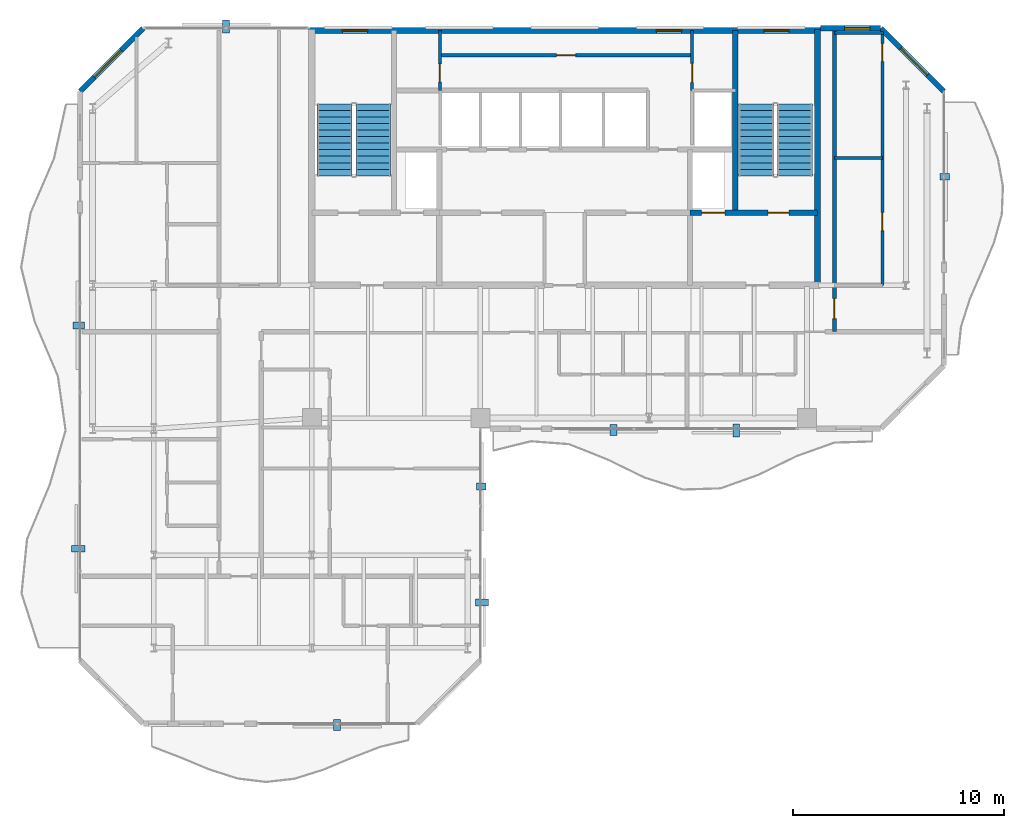
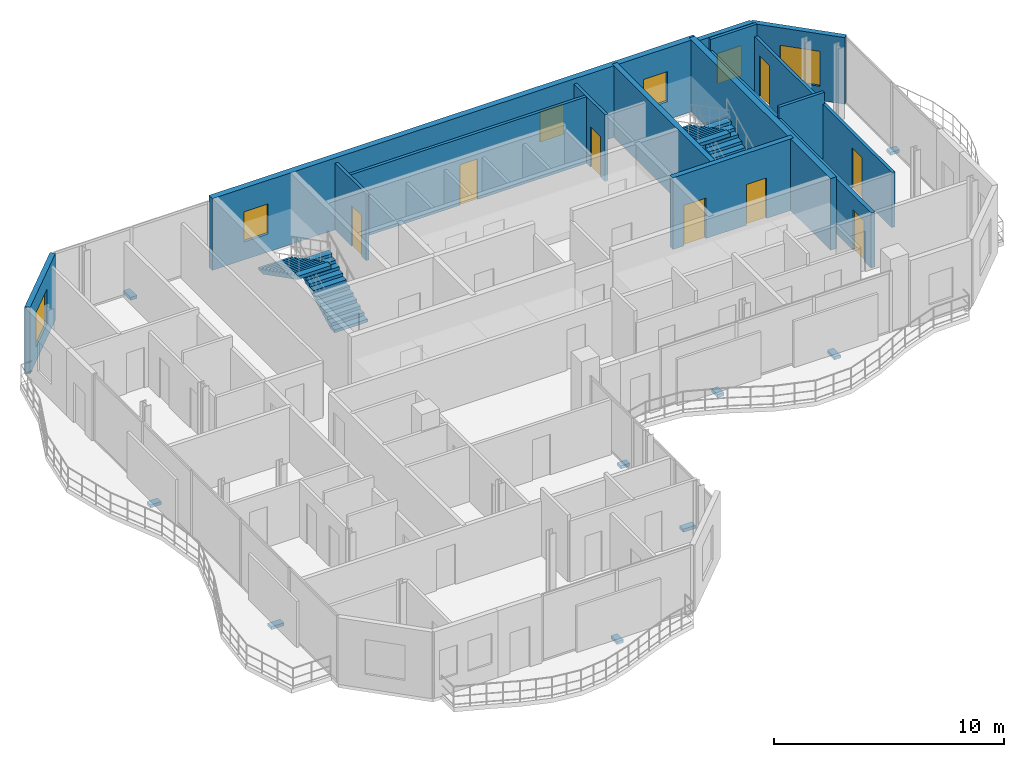
# One storey, part 20 of 22: 14 walls, 9 discrete accessories, 8 doors, 6 windows, 4 stair flights, 14 openings, 2 elements without a shape of their own.
"""IFC4 building model written with IfcOpenShell, lengths in metres."""

import ifcopenshell
import ifcopenshell.guid

model = None  # the IFC model being written
_history = None  # IfcOwnerHistory: only IFC2X3 demands one
_inside = {}  # id of a spatial element -> (the spatial element, [elements in it])
_under = {}  # id of a project, library or spatial element -> (it, [spatial elements below it])
_declared = {}  # id of a project -> (the project, [libraries it declares])
_typed = {}  # id of a type object -> (the type object, [elements of that type])
_made_of = {}  # id of a material, layer set ... -> (it, [elements and type objects made of it])


def new_model(schema):
    """Start an empty IFC model of exactly this schema.

    Asked for "IFC4X3", IfcOpenShell would pick the latest addendum, in which some entities
    have other attributes; the version numbers below select the first issue.
    IFC2X3 requires an IfcOwnerHistory on every rooted entity: one is made here for all.
    """
    global model, _history
    if schema == "IFC4X3":
        model = ifcopenshell.file(schema_version=(4, 3, 0, 0))
    else:
        model = ifcopenshell.file(schema=schema)
    _inside.clear()
    _under.clear()
    _declared.clear()
    _typed.clear()
    _made_of.clear()
    _history = None
    if model.schema == "IFC2X3":
        org = make("IfcOrganization", Name="unknown")
        user = make(
            "IfcPersonAndOrganization",
            ThePerson=make("IfcPerson", FamilyName="unknown"),
            TheOrganization=org,
        )
        app = make(
            "IfcApplication",
            ApplicationDeveloper=org,
            Version="unknown",
            ApplicationFullName="unknown",
            ApplicationIdentifier="unknown",
        )
        _history = make(
            "IfcOwnerHistory",
            OwningUser=user,
            OwningApplication=app,
            ChangeAction="ADDED",
            CreationDate=0,
        )
    return model


def make(cls, **values):
    """One entity of the class cls with the attributes given. An attribute that is None is left unset."""
    return model.create_entity(
        cls, **{name: value for name, value in values.items() if value is not None}
    )


def rooted(cls, **values):
    """An entity with a GlobalId (a new one), such as an element, a storey or a relation."""
    return make(cls, GlobalId=ifcopenshell.guid.new(), OwnerHistory=_history, **values)


def si_unit(unit_type, name, prefix=None):
    """IfcSIUnit, for example si_unit("LENGTHUNIT", "METRE", prefix="MILLI")."""
    return make("IfcSIUnit", UnitType=unit_type, Prefix=prefix, Name=name)


def assignment(units):
    """IfcUnitAssignment: the units of a project."""
    return None if units is None else make("IfcUnitAssignment", Units=units)


def point(xyz):
    """IfcCartesianPoint."""
    return None if xyz is None else make("IfcCartesianPoint", Coordinates=xyz)


def direction(xyz):
    """IfcDirection."""
    return None if xyz is None else make("IfcDirection", DirectionRatios=xyz)


def frame(location, z_axis=None, x_axis=None):
    """IfcAxis2Placement3D, a coordinate frame: its origin and axes. An axis left out is left unset."""
    return make(
        "IfcAxis2Placement3D",
        Location=point(location),
        Axis=direction(z_axis),
        RefDirection=direction(x_axis),
    )


def frame_2d(location, x_axis=None):
    """IfcAxis2Placement2D, a coordinate frame in the plane: its origin and x axis."""
    return make(
        "IfcAxis2Placement2D", Location=point(location), RefDirection=direction(x_axis)
    )


def origin():
    """The frame at (0, 0, 0) with its axes left unset."""
    return frame((0.0, 0.0, 0.0))


def origin_2d():
    """The frame at (0, 0) in the plane with its x axis left unset."""
    return frame_2d((0.0, 0.0))


def place(relative_to, where):
    """IfcLocalPlacement: puts the frame where relative to a parent placement (None: the world)."""
    return make(
        "IfcLocalPlacement", PlacementRelTo=relative_to, RelativePlacement=where
    )


def context(
    kind, dimensions, precision=None, world=None, true_north=None, identifier=None
):
    """IfcGeometricRepresentationContext, for example the 3D "Model" context."""
    return make(
        "IfcGeometricRepresentationContext",
        ContextIdentifier=identifier,
        ContextType=kind,
        CoordinateSpaceDimension=dimensions,
        Precision=precision,
        WorldCoordinateSystem=world,
        TrueNorth=true_north,
    )


def subcontext(parent, identifier, kind, view, scale=None):
    """IfcGeometricRepresentationSubContext, for example "Body" below "Model"."""
    return make(
        "IfcGeometricRepresentationSubContext",
        ContextIdentifier=identifier,
        ContextType=kind,
        ParentContext=parent,
        TargetScale=scale,
        TargetView=view,
    )


def project(units=None, contexts=None):
    """IfcProject with its units and contexts."""
    return rooted(
        "IfcProject",
        Name="project",
        RepresentationContexts=contexts,
        UnitsInContext=assignment(units),
    )


def spatial(cls, under=None, at=None, **own):
    """A site, building, storey or space (cls), placed at a placement, below another one or the project."""
    s = rooted(cls, ObjectPlacement=at, **own)
    if under is not None:
        _under.setdefault(under.id(), (under, []))[1].append(s)
    return s


def polyline(points):
    """IfcPolyline through the points."""
    return make("IfcPolyline", Points=[point(p) for p in points])


def profile(cls, at=None, kind="AREA", **sizes):
    """A parametric profile (cls). Its sizes go by their IFC names, for example OverallWidth=200.0."""
    return make(cls, ProfileType=kind, Position=at, **sizes)


def rectangle(**sizes):
    """IfcRectangleProfileDef."""
    return profile("IfcRectangleProfileDef", **sizes)


def outline(outer, holes=None, kind="AREA"):
    """IfcArbitraryClosedProfileDef: a profile drawn as a closed curve; with holes, ...WithVoids."""
    if holes is None:
        return make("IfcArbitraryClosedProfileDef", ProfileType=kind, OuterCurve=outer)
    return make(
        "IfcArbitraryProfileDefWithVoids",
        ProfileType=kind,
        OuterCurve=outer,
        InnerCurves=holes,
    )


def extrude(swept, where, along, depth):
    """IfcExtrudedAreaSolid: the profile swept, set in the frame where, extruded along a direction by depth."""
    return make(
        "IfcExtrudedAreaSolid",
        SweptArea=swept,
        Position=where,
        ExtrudedDirection=direction(along),
        Depth=depth,
    )


def shape(context_of_items, identifier, shape_type, items):
    """IfcShapeRepresentation: the items that make up one representation, for example the "Body"."""
    return make(
        "IfcShapeRepresentation",
        ContextOfItems=context_of_items,
        RepresentationIdentifier=identifier,
        RepresentationType=shape_type,
        Items=items,
    )


def material(Name=None, Category=None):
    """IfcMaterial."""
    return make("IfcMaterial", Name=Name, Category=Category)


def layer(
    of_material, thickness, ventilated=None, Name=None, Category=None, Priority=None
):
    """IfcMaterialLayer: one layer of a wall or slab, of a material (None: an air gap)."""
    return make(
        "IfcMaterialLayer",
        Material=of_material,
        LayerThickness=thickness,
        IsVentilated=ventilated,
        Name=Name,
        Category=Category,
        Priority=Priority,
    )


def layer_set(layers, Name=None):
    """IfcMaterialLayerSet."""
    return make("IfcMaterialLayerSet", MaterialLayers=layers, LayerSetName=Name)


def made_of(thing, what):
    """Note that an element or type object is made of a material, layer set ...; save() writes the relation."""
    if what is not None:
        _made_of.setdefault(what.id(), (what, []))[1].append(thing)
    return thing


def type_object(cls, material=None, **own):
    """A type object (cls), such as IfcWallType, which elements share."""
    return made_of(rooted(cls, **own), material)


def element(
    cls,
    number,
    at=None,
    inside=None,
    cuts=None,
    type_object=None,
    material=None,
    context=None,
    identifier="Body",
    shape_type=None,
    held_by="IfcProductDefinitionShape",
    body=None,
    shapes=None,
    **own,
):
    """One element of the class cls, such as IfcWall. Its Tag is "e" and its number.

    at: its placement. inside: the storey or other place that contains it. cuts: it is an
    opening in that element (IfcRelVoidsElement). A single representation is given by context,
    identifier, shape_type and body (its items); several are given by shapes. held_by: the class
    of the entity that holds the representations. save() writes the other relations.
    """
    e = rooted(cls, Tag="e%d" % number, ObjectPlacement=at, **own)
    if body is not None:
        shapes = [shape(context, identifier, shape_type, body)]
    if shapes is not None:
        e.Representation = make(held_by, Representations=shapes)
    if inside is not None:
        _inside.setdefault(inside.id(), (inside, []))[1].append(e)
    if cuts is not None:
        rooted(
            "IfcRelVoidsElement", RelatingBuildingElement=cuts, RelatedOpeningElement=e
        )
    if type_object is not None:
        _typed.setdefault(type_object.id(), (type_object, []))[1].append(e)
    return made_of(e, material)


def fill(opening, filler):
    """IfcRelFillsElement: the door or window that sits in an opening."""
    return rooted(
        "IfcRelFillsElement",
        RelatingOpeningElement=opening,
        RelatedBuildingElement=filler,
    )


def aggregate(whole, parts):
    """IfcRelAggregates: a whole, such as a stair, and the parts it consists of."""
    return rooted("IfcRelAggregates", RelatingObject=whole, RelatedObjects=parts)


def save(model, path):
    """Write the relations noted so far, then the file.

    IfcRelAggregates (storeys below a building ...), IfcRelContainedInSpatialStructure (elements
    in a storey), IfcRelDefinesByType, IfcRelAssociatesMaterial and IfcRelDeclares: one each for
    every whole, place, type object, material and project.
    """
    for whole, parts in _under.values():
        aggregate(whole, parts)
    for where, things in _inside.values():
        rooted(
            "IfcRelContainedInSpatialStructure",
            RelatedElements=things,
            RelatingStructure=where,
        )
    for kind, things in _typed.values():
        rooted("IfcRelDefinesByType", RelatedObjects=things, RelatingType=kind)
    for what, things in _made_of.values():
        rooted("IfcRelAssociatesMaterial", RelatedObjects=things, RelatingMaterial=what)
    for by, libraries in _declared.values():
        rooted("IfcRelDeclares", RelatingContext=by, RelatedDefinitions=libraries)
    model.write(path)


model = new_model("IFC4")

# Units and contexts
model_context = context("Model", 3, precision=1e-05, world=origin(), true_north=direction((0.0, 1.0)))
body_context = subcontext(model_context, "Body", "Model", "MODEL_VIEW")
ifc_project = project(units=[si_unit("LENGTHUNIT", "METRE"), si_unit("AREAUNIT", "SQUARE_METRE"), si_unit("VOLUMEUNIT", "CUBIC_METRE"), si_unit("PLANEANGLEUNIT", "RADIAN"), si_unit("MASSUNIT", "GRAM", prefix="KILO")], contexts=[model_context])

# Site, building, storey
site_placement = place(None, origin())
site = spatial("IfcSite", under=ifc_project, at=site_placement, CompositionType="ELEMENT")
building_placement = place(site_placement, origin())
building = spatial("IfcBuilding", under=site, at=building_placement, Name="Catumbela Crestline Tower", CompositionType="ELEMENT")
storey_placement = place(building_placement, frame((0.0, 0.0, 222.2)))
storey = spatial("IfcBuildingStorey", under=building, at=storey_placement, Name="L57", CompositionType="ELEMENT", Elevation=222.2)

# Wall
ifc_material_1 = material(Name="Concrete C50/60", Category="concrete")
ifc_layer_1 = layer(ifc_material_1, 0.25, Name="Concrete C50/60")
ifc_layer_set_1 = layer_set([ifc_layer_1], Name="Concrete C50/60")
wall_type_1 = type_object("IfcWallType", Name="CW-250D", PredefinedType="SHEAR", material=ifc_layer_set_1)
wall_1_placement = place(storey_placement, frame((36.1, 34.25, 0.0), z_axis=(0.0, 0.0, 1.0), x_axis=(0.0, 1.0, 0.0)))
element("IfcWall", 1, at=wall_1_placement, inside=storey, type_object=wall_type_1, Name="L57 Structural Core Shear Wall EWEB", PredefinedType="SHEAR", context=body_context, shape_type="SweptSolid", body=[
    extrude(rectangle(XDim=8.65, YDim=0.25, at=frame_2d((4.325, 0.0))), origin(), (0.0, 0.0, 1.0), 3.8),
])

# Wall, openings, doors
wall_2_placement = place(storey_placement, frame((33.95, 34.25, 0.0), z_axis=(0.0, 0.0, 1.0), x_axis=(1.0, 0.0, 0.0)))
wall_2 = element("IfcWall", 2, at=wall_2_placement, inside=storey, type_object=wall_type_1, Name="L57 Structural Core Shear Wall ST2S", PredefinedType="SHEAR", context=body_context, shape_type="SweptSolid", body=[
    extrude(rectangle(XDim=6.05, YDim=0.25, at=frame_2d((3.025, 0.0))), origin(), (0.0, 0.0, 1.0), 3.8),
])
opening_1_placement = place(wall_2_placement, frame((3.7, 0.0, 0.0)))
opening_1 = element("IfcOpeningElement", 3, at=opening_1_placement, cuts=wall_2, Name="Opening DF9-100", PredefinedType="OPENING", context=body_context, shape_type="SweptSolid", body=[
    extrude(rectangle(XDim=1.0, YDim=2.15, at=frame_2d((0.5, 1.075))), frame((0.0, 0.135, 0.0), z_axis=(0.0, -1.0, 0.0), x_axis=(1.0, 0.0, 0.0)), (0.0, 0.0, 1.0), 0.27),
])
opening_2_placement = place(wall_2_placement, frame((0.55, 0.0, 0.0)))
opening_2 = element("IfcOpeningElement", 4, at=opening_2_placement, cuts=wall_2, Name="Opening LD-110", PredefinedType="OPENING", context=body_context, shape_type="SweptSolid", body=[
    extrude(rectangle(XDim=1.1, YDim=2.15, at=frame_2d((0.55, 1.075))), frame((0.0, 0.135, 0.0), z_axis=(0.0, -1.0, 0.0), x_axis=(1.0, 0.0, 0.0)), (0.0, 0.0, 1.0), 0.27),
])
ifc_material_2 = material(Name="Stainless steel EN 1.4401", Category="steel")
door_type_1 = type_object("IfcDoorType", Name="DF9-100", OperationType="NOTDEFINED", PredefinedType="DOOR", material=ifc_material_2)
door_1_placement = place(opening_1_placement, origin())
door_1 = element("IfcDoor", 5, at=door_1_placement, inside=storey, type_object=door_type_1, Name="L57 Interior Door DR-L57-ST02", OperationType="SINGLE_SWING_RIGHT", OverallHeight=2.15, OverallWidth=1.0, PredefinedType="DOOR", context=body_context, shape_type="SweptSolid", body=[
    extrude(rectangle(XDim=1.0, YDim=2.15, at=frame_2d((0.5, 1.075))), frame((0.0, 0.025, 0.0), z_axis=(0.0, -1.0, 0.0), x_axis=(1.0, 0.0, 0.0)), (0.0, 0.0, 1.0), 0.05),
])
fill(opening_1, door_1)
door_type_2 = type_object("IfcDoorType", Name="LD-110", OperationType="NOTDEFINED", PredefinedType="DOOR", material=ifc_material_2)
door_2_placement = place(opening_2_placement, origin())
door_2 = element("IfcDoor", 6, at=door_2_placement, inside=storey, type_object=door_type_2, Name="L57 Lift Landing Sliding Door FL-02", OperationType="DOUBLE_DOOR_SLIDING", OverallHeight=2.15, OverallWidth=1.1, PredefinedType="DOOR", context=body_context, shape_type="SweptSolid", body=[
    extrude(rectangle(XDim=1.1, YDim=2.15, at=frame_2d((0.55, 1.075))), frame((0.0, 0.025, 0.0), z_axis=(0.0, -1.0, 0.0), x_axis=(1.0, 0.0, 0.0)), (0.0, 0.0, 1.0), 0.05),
])
fill(opening_2, door_2)

# Wall
ifc_material_3 = material(Name="Concrete C45/55", Category="concrete")
ifc_layer_2 = layer(ifc_material_3, 0.3, Name="Concrete C45/55")
ifc_layer_set_2 = layer_set([ifc_layer_2], Name="Concrete C45/55")
wall_type_2 = type_object("IfcWallType", Name="CW-300C", PredefinedType="SHEAR", material=ifc_layer_set_2)
wall_3_placement = place(storey_placement, frame((40.0, 30.65, 0.0), z_axis=(0.0, 0.0, 1.0), x_axis=(0.0, 1.0, 0.0)))
element("IfcWall", 7, at=wall_3_placement, inside=storey, type_object=wall_type_2, Name="L57 Structural Core Shear Wall E", PredefinedType="SHEAR", context=body_context, shape_type="SweptSolid", body=[
    extrude(rectangle(XDim=12.3, YDim=0.3, at=frame_2d((6.15, 0.0))), origin(), (0.0, 0.0, 1.0), 3.8),
])

# Wall, openings, windows
ifc_layer_3 = layer(ifc_material_3, 0.3, Name="Concrete C45/55")
ifc_layer_set_3 = layer_set([ifc_layer_3], Name="Concrete C45/55")
wall_type_3 = type_object("IfcWallType", Name="CW-300E", PredefinedType="SHEAR", material=ifc_layer_set_3)
wall_4_placement = place(storey_placement, frame((15.85, 42.9, 0.0), z_axis=(0.0, 0.0, 1.0), x_axis=(1.0, 0.0, 0.0)))
wall_4 = element("IfcWall", 8, at=wall_4_placement, inside=storey, type_object=wall_type_3, Name="L57 Structural Core Shear Wall N", PredefinedType="SHEAR", context=body_context, shape_type="SweptSolid", body=[
    extrude(rectangle(XDim=24.3, YDim=0.3, at=frame_2d((12.15, 0.0))), origin(), (0.0, 0.0, 1.0), 3.8),
])
opening_3_placement = place(wall_4_placement, frame((1.6, 0.0, 0.95)))
opening_3 = element("IfcOpeningElement", 9, at=opening_3_placement, cuts=wall_4, Name="Opening WN-02", PredefinedType="OPENING", context=body_context, shape_type="SweptSolid", body=[
    extrude(rectangle(XDim=1.2, YDim=1.6, at=frame_2d((0.6, 0.8))), frame((0.0, 0.16, 0.0), z_axis=(0.0, -1.0, 0.0), x_axis=(1.0, 0.0, 0.0)), (0.0, 0.0, 1.0), 0.32),
])
opening_4_placement = place(wall_4_placement, frame((16.5, 0.0, 0.95)))
opening_4 = element("IfcOpeningElement", 10, at=opening_4_placement, cuts=wall_4, Name="Opening WN-02", PredefinedType="OPENING", context=body_context, shape_type="SweptSolid", body=[
    extrude(rectangle(XDim=1.2, YDim=1.6, at=frame_2d((0.6, 0.8))), frame((0.0, 0.16, 0.0), z_axis=(0.0, -1.0, 0.0), x_axis=(1.0, 0.0, 0.0)), (0.0, 0.0, 1.0), 0.32),
])
opening_5_placement = place(wall_4_placement, frame((21.6, 0.0, 0.95)))
opening_5 = element("IfcOpeningElement", 11, at=opening_5_placement, cuts=wall_4, Name="Opening WN-02", PredefinedType="OPENING", context=body_context, shape_type="SweptSolid", body=[
    extrude(rectangle(XDim=1.2, YDim=1.6, at=frame_2d((0.6, 0.8))), frame((0.0, 0.16, 0.0), z_axis=(0.0, -1.0, 0.0), x_axis=(1.0, 0.0, 0.0)), (0.0, 0.0, 1.0), 0.32),
])
ifc_material_4 = material(Name="Low-E laminated solar-control double glazing", Category="glass")
window_type_1 = type_object("IfcWindowType", Name="WO-1200", PartitioningType="SINGLE_PANEL", PredefinedType="WINDOW", material=ifc_material_4)
window_1_placement = place(opening_3_placement, origin())
window_1 = element("IfcWindow", 12, at=window_1_placement, inside=storey, type_object=window_type_1, Name="L57 North Core Daylight Vision Window 390", OverallHeight=1.6, OverallWidth=1.2, PartitioningType="SINGLE_PANEL", PredefinedType="WINDOW", context=body_context, shape_type="SweptSolid", body=[
    extrude(rectangle(XDim=1.2, YDim=1.6, at=frame_2d((0.6, 0.8))), frame((0.0, 0.03, 0.0), z_axis=(0.0, -1.0, 0.0), x_axis=(1.0, 0.0, 0.0)), (0.0, 0.0, 1.0), 0.06),
])
fill(opening_3, window_1)
window_2_placement = place(opening_4_placement, origin())
window_2 = element("IfcWindow", 13, at=window_2_placement, inside=storey, type_object=window_type_1, Name="L57 North Core Daylight Vision Window 391", OverallHeight=1.6, OverallWidth=1.2, PartitioningType="SINGLE_PANEL", PredefinedType="WINDOW", context=body_context, shape_type="SweptSolid", body=[
    extrude(rectangle(XDim=1.2, YDim=1.6, at=frame_2d((0.6, 0.8))), frame((0.0, 0.03, 0.0), z_axis=(0.0, -1.0, 0.0), x_axis=(1.0, 0.0, 0.0)), (0.0, 0.0, 1.0), 0.06),
])
fill(opening_4, window_2)
window_3_placement = place(opening_5_placement, origin())
window_3 = element("IfcWindow", 14, at=window_3_placement, inside=storey, type_object=window_type_1, Name="L57 North Core Daylight Vision Window 392", OverallHeight=1.6, OverallWidth=1.2, PartitioningType="SINGLE_PANEL", PredefinedType="WINDOW", context=body_context, shape_type="SweptSolid", body=[
    extrude(rectangle(XDim=1.2, YDim=1.6, at=frame_2d((0.6, 0.8))), frame((0.0, 0.03, 0.0), z_axis=(0.0, -1.0, 0.0), x_axis=(1.0, 0.0, 0.0)), (0.0, 0.0, 1.0), 0.06),
])
fill(opening_5, window_3)

# Wall, opening, door
ifc_material_5 = material(Name="Acoustic gypsum and mineral-wool partition")
ifc_layer_4 = layer(ifc_material_5, 0.2, Name="Acoustic gypsum and mineral-wool partition")
ifc_layer_set_4 = layer_set([ifc_layer_4], Name="Acoustic gypsum and mineral-wool partition")
wall_type_4 = type_object("IfcWallType", Name="WC-200", PredefinedType="PARTITIONING", material=ifc_layer_set_4)
wall_5_placement = place(storey_placement, frame((40.8, 28.6, 0.0), z_axis=(0.0, 0.0, 1.0), x_axis=(0.0, 1.0, 0.0)))
wall_5 = element("IfcWall", 15, at=wall_5_placement, inside=storey, type_object=wall_type_4, Name="L57 Interior Partition PW-L57-NE1-ENT", PredefinedType="PARTITIONING", context=body_context, shape_type="SweptSolid", body=[
    extrude(rectangle(XDim=14.3, YDim=0.2, at=frame_2d((7.15, 0.0))), origin(), (0.0, 0.0, 1.0), 2.92),
])
opening_6_placement = place(wall_5_placement, frame((0.625, 0.0, 0.0)))
opening_6 = element("IfcOpeningElement", 16, at=opening_6_placement, cuts=wall_5, Name="Opening DF6-095", PredefinedType="OPENING", context=body_context, shape_type="SweptSolid", body=[
    extrude(rectangle(XDim=0.95, YDim=2.15, at=frame_2d((0.475, 1.075))), frame((0.0, 0.11, 0.0), z_axis=(0.0, -1.0, 0.0), x_axis=(1.0, 0.0, 0.0)), (0.0, 0.0, 1.0), 0.22),
])
ifc_material_6 = material(Name="Aluminium alloy AW-6060-T66", Category="aluminium")
door_type_3 = type_object("IfcDoorType", Name="DF6-095", OperationType="NOTDEFINED", PredefinedType="DOOR", material=ifc_material_6)
door_3_placement = place(opening_6_placement, origin())
door_3 = element("IfcDoor", 17, at=door_3_placement, inside=storey, type_object=door_type_3, Name="L57 Interior Door DR-L57-NE1-ENT", OperationType="SINGLE_SWING_LEFT", OverallHeight=2.15, OverallWidth=0.95, PredefinedType="DOOR", context=body_context, shape_type="SweptSolid", body=[
    extrude(rectangle(XDim=0.95, YDim=2.15, at=frame_2d((0.475, 1.075))), frame((0.0, 0.025, 0.0), z_axis=(0.0, -1.0, 0.0), x_axis=(1.0, 0.0, 0.0)), (0.0, 0.0, 1.0), 0.05),
])
fill(opening_6, door_3)

# Wall, opening, window
ifc_material_7 = material(Name="Angolan grey-ochre granite", Category="masonry")
ifc_layer_5 = layer(ifc_material_7, 0.25, Name="Angolan grey-ochre granite")
ifc_layer_set_5 = layer_set([ifc_layer_5], Name="Angolan grey-ochre granite")
wall_type_5 = type_object("IfcWallType", Name="WE-250", PredefinedType="STANDARD", material=ifc_layer_set_5)
wall_6_placement = place(storey_placement, frame((46.0, 40.0, 0.0), z_axis=(0.0, 0.0, 1.0), x_axis=(-0.707106781187, 0.707106781187, 0.0)))
wall_6 = element("IfcWall", 18, at=wall_6_placement, inside=storey, type_object=wall_type_5, Name="L57 Granite Punched Window Wall 6-1", PredefinedType="STANDARD", context=body_context, shape_type="SweptSolid", body=[
    extrude(rectangle(XDim=4.2426, YDim=0.25, at=frame_2d((2.1213, 0.0))), origin(), (0.0, 0.0, 1.0), 3.53),
])
opening_7_placement = place(wall_6_placement, frame((1.1111, 0.0, 0.75)))
opening_7 = element("IfcOpeningElement", 19, at=opening_7_placement, cuts=wall_6, Name="Opening WN-01", PredefinedType="OPENING", context=body_context, shape_type="SweptSolid", body=[
    extrude(rectangle(XDim=1.8, YDim=1.85, at=frame_2d((0.9, 0.925))), frame((0.0, 0.135, 0.0), z_axis=(0.0, -1.0, 0.0), x_axis=(1.0, 0.0, 0.0)), (0.0, 0.0, 1.0), 0.27),
])
window_type_2 = type_object("IfcWindowType", Name="WF-1800", PartitioningType="SINGLE_PANEL", PredefinedType="WINDOW", material=ifc_material_4)
window_4_placement = place(opening_7_placement, origin())
window_4 = element("IfcWindow", 20, at=window_4_placement, inside=storey, type_object=window_type_2, Name="L57 Facade Vision Window 399", OverallHeight=1.85, OverallWidth=1.8, PartitioningType="SINGLE_PANEL", PredefinedType="WINDOW", context=body_context, shape_type="SweptSolid", body=[
    extrude(rectangle(XDim=1.8, YDim=1.85, at=frame_2d((0.9, 0.925))), frame((0.0, 0.03, 0.0), z_axis=(0.0, -1.0, 0.0), x_axis=(1.0, 0.0, 0.0)), (0.0, 0.0, 1.0), 0.06),
])
fill(opening_7, window_4)

wall_7_placement = place(storey_placement, frame((43.0, 43.0, 0.0), z_axis=(0.0, 0.0, 1.0), x_axis=(-1.0, 0.0, 0.0)))
wall_7 = element("IfcWall", 21, at=wall_7_placement, inside=storey, type_object=wall_type_5, Name="L57 Granite Punched Window Wall 7-1", PredefinedType="STANDARD", context=body_context, shape_type="SweptSolid", body=[
    extrude(rectangle(XDim=2.86, YDim=0.25, at=frame_2d((1.43, 0.0))), origin(), (0.0, 0.0, 1.0), 3.53),
])
opening_8_placement = place(wall_7_placement, frame((0.51, 0.0, 0.85)))
opening_8 = element("IfcOpeningElement", 22, at=opening_8_placement, cuts=wall_7, Name="Opening WN-02", PredefinedType="OPENING", context=body_context, shape_type="SweptSolid", body=[
    extrude(rectangle(XDim=1.2, YDim=1.6, at=frame_2d((0.6, 0.8))), frame((0.0, 0.135, 0.0), z_axis=(0.0, -1.0, 0.0), x_axis=(1.0, 0.0, 0.0)), (0.0, 0.0, 1.0), 0.27),
])
window_5_placement = place(opening_8_placement, origin())
window_5 = element("IfcWindow", 23, at=window_5_placement, inside=storey, type_object=window_type_1, Name="L57 Facade Vision Window 400", OverallHeight=1.6, OverallWidth=1.2, PartitioningType="SINGLE_PANEL", PredefinedType="WINDOW", context=body_context, shape_type="SweptSolid", body=[
    extrude(rectangle(XDim=1.2, YDim=1.6, at=frame_2d((0.6, 0.8))), frame((0.0, 0.03, 0.0), z_axis=(0.0, -1.0, 0.0), x_axis=(1.0, 0.0, 0.0)), (0.0, 0.0, 1.0), 0.06),
])
fill(opening_8, window_5)

wall_8_placement = place(storey_placement, frame((8.0, 43.0, 0.0), z_axis=(0.0, 0.0, 1.0), x_axis=(-0.707106781187, -0.707106781187, 0.0)))
wall_8 = element("IfcWall", 24, at=wall_8_placement, inside=storey, type_object=wall_type_5, Name="L57 Granite Punched Window Wall 8-1", PredefinedType="STANDARD", context=body_context, shape_type="SweptSolid", body=[
    extrude(rectangle(XDim=4.2426, YDim=0.25, at=frame_2d((2.1213, 0.0))), origin(), (0.0, 0.0, 1.0), 3.53),
])
opening_9_placement = place(wall_8_placement, frame((1.4729, 0.0, 0.75)))
opening_9 = element("IfcOpeningElement", 25, at=opening_9_placement, cuts=wall_8, Name="Opening WN-01", PredefinedType="OPENING", context=body_context, shape_type="SweptSolid", body=[
    extrude(rectangle(XDim=1.8, YDim=1.85, at=frame_2d((0.9, 0.925))), frame((0.0, 0.135, 0.0), z_axis=(0.0, -1.0, 0.0), x_axis=(1.0, 0.0, 0.0)), (0.0, 0.0, 1.0), 0.27),
])
window_6_placement = place(opening_9_placement, origin())
window_6 = element("IfcWindow", 26, at=window_6_placement, inside=storey, type_object=window_type_2, Name="L57 Facade Vision Window 401", OverallHeight=1.85, OverallWidth=1.8, PartitioningType="SINGLE_PANEL", PredefinedType="WINDOW", context=body_context, shape_type="SweptSolid", body=[
    extrude(rectangle(XDim=1.8, YDim=1.85, at=frame_2d((0.9, 0.925))), frame((0.0, 0.03, 0.0), z_axis=(0.0, -1.0, 0.0), x_axis=(1.0, 0.0, 0.0)), (0.0, 0.0, 1.0), 0.06),
])
fill(opening_9, window_6)

# Wall, opening, door
ifc_layer_6 = layer(ifc_material_5, 0.15, Name="Acoustic gypsum and mineral-wool partition")
ifc_layer_set_6 = layer_set([ifc_layer_6], Name="Acoustic gypsum and mineral-wool partition")
wall_type_6 = type_object("IfcWallType", Name="WP-150", PredefinedType="PARTITIONING", material=ifc_layer_set_6)
wall_9_placement = place(storey_placement, frame((34.05, 40.05, 0.0), z_axis=(0.0, 0.0, 1.0), x_axis=(0.0, 1.0, 0.0)))
wall_9 = element("IfcWall", 27, at=wall_9_placement, inside=storey, type_object=wall_type_6, Name="L57 Interior Partition PW-L57-CR-EW", PredefinedType="PARTITIONING", context=body_context, shape_type="SweptSolid", body=[
    extrude(rectangle(XDim=2.85, YDim=0.15, at=frame_2d((1.425, 0.0))), origin(), (0.0, 0.0, 1.0), 3.53),
])
opening_10_placement = place(wall_9_placement, frame((0.385, 0.0, 0.0)))
opening_10 = element("IfcOpeningElement", 28, at=opening_10_placement, cuts=wall_9, Name="Opening DF9-090", PredefinedType="OPENING", context=body_context, shape_type="SweptSolid", body=[
    extrude(rectangle(XDim=0.9, YDim=2.15, at=frame_2d((0.45, 1.075))), frame((0.0, 0.085, 0.0), z_axis=(0.0, -1.0, 0.0), x_axis=(1.0, 0.0, 0.0)), (0.0, 0.0, 1.0), 0.17),
])
door_type_4 = type_object("IfcDoorType", Name="DF9-090", OperationType="NOTDEFINED", PredefinedType="DOOR", material=ifc_material_2)
door_4_placement = place(opening_10_placement, origin())
door_4 = element("IfcDoor", 29, at=door_4_placement, inside=storey, type_object=door_type_4, Name="L57 Interior Door DR-L57-CREAST", OperationType="SINGLE_SWING_RIGHT", OverallHeight=2.15, OverallWidth=0.9, PredefinedType="DOOR", context=body_context, shape_type="SweptSolid", body=[
    extrude(rectangle(XDim=0.9, YDim=2.15, at=frame_2d((0.45, 1.075))), frame((0.0, 0.025, 0.0), z_axis=(0.0, -1.0, 0.0), x_axis=(1.0, 0.0, 0.0)), (0.0, 0.0, 1.0), 0.05),
])
fill(opening_10, door_4)

wall_10_placement = place(storey_placement, frame((22.08, 40.05, 0.0), z_axis=(0.0, 0.0, 1.0), x_axis=(0.0, 1.0, 0.0)))
wall_10 = element("IfcWall", 30, at=wall_10_placement, inside=storey, type_object=wall_type_6, Name="L57 Interior Partition PW-L57-CR-WCW", PredefinedType="PARTITIONING", context=body_context, shape_type="SweptSolid", body=[
    extrude(rectangle(XDim=2.85, YDim=0.15, at=frame_2d((1.425, 0.0))), origin(), (0.0, 0.0, 1.0), 3.53),
])
opening_11_placement = place(wall_10_placement, frame((0.41, 0.0, 0.0)))
opening_11 = element("IfcOpeningElement", 31, at=opening_11_placement, cuts=wall_10, Name="Opening DI-085", PredefinedType="OPENING", context=body_context, shape_type="SweptSolid", body=[
    extrude(rectangle(XDim=0.85, YDim=2.15, at=frame_2d((0.425, 1.075))), frame((0.0, 0.085, 0.0), z_axis=(0.0, -1.0, 0.0), x_axis=(1.0, 0.0, 0.0)), (0.0, 0.0, 1.0), 0.17),
])
door_type_5 = type_object("IfcDoorType", Name="DI-085", OperationType="NOTDEFINED", PredefinedType="DOOR", material=ifc_material_6)
door_5_placement = place(opening_11_placement, origin())
door_5 = element("IfcDoor", 32, at=door_5_placement, inside=storey, type_object=door_type_5, Name="L57 Interior Door DR-L57-CRWC", OperationType="SINGLE_SWING_LEFT", OverallHeight=2.15, OverallWidth=0.85, PredefinedType="DOOR", context=body_context, shape_type="SweptSolid", body=[
    extrude(rectangle(XDim=0.85, YDim=2.15, at=frame_2d((0.425, 1.075))), frame((0.0, 0.025, 0.0), z_axis=(0.0, -1.0, 0.0), x_axis=(1.0, 0.0, 0.0)), (0.0, 0.0, 1.0), 0.05),
])
fill(opening_11, door_5)

wall_11_placement = place(storey_placement, frame((22.08, 41.72, 0.0), z_axis=(0.0, 0.0, 1.0), x_axis=(1.0, 0.0, 0.0)))
wall_11 = element("IfcWall", 33, at=wall_11_placement, inside=storey, type_object=wall_type_6, Name="L57 Interior Partition PW-L57-CR-MID", PredefinedType="PARTITIONING", context=body_context, shape_type="SweptSolid", body=[
    extrude(rectangle(XDim=11.97, YDim=0.15, at=frame_2d((5.985, 0.0))), origin(), (0.0, 0.0, 1.0), 3.53),
])
opening_12_placement = place(wall_11_placement, frame((5.535, 0.0, 0.0)))
opening_12 = element("IfcOpeningElement", 34, at=opening_12_placement, cuts=wall_11, Name="Opening DF9-090", PredefinedType="OPENING", context=body_context, shape_type="SweptSolid", body=[
    extrude(rectangle(XDim=0.9, YDim=2.15, at=frame_2d((0.45, 1.075))), frame((0.0, 0.085, 0.0), z_axis=(0.0, -1.0, 0.0), x_axis=(1.0, 0.0, 0.0)), (0.0, 0.0, 1.0), 0.17),
])
door_6_placement = place(opening_12_placement, origin())
door_6 = element("IfcDoor", 35, at=door_6_placement, inside=storey, type_object=door_type_4, Name="L57 Interior Door DR-L57-CRMID", OperationType="SINGLE_SWING_LEFT", OverallHeight=2.15, OverallWidth=0.9, PredefinedType="DOOR", context=body_context, shape_type="SweptSolid", body=[
    extrude(rectangle(XDim=0.9, YDim=2.15, at=frame_2d((0.45, 1.075))), frame((0.0, 0.025, 0.0), z_axis=(0.0, -1.0, 0.0), x_axis=(1.0, 0.0, 0.0)), (0.0, 0.0, 1.0), 0.05),
])
fill(opening_12, door_6)

# Wall
wall_12_placement = place(storey_placement, frame((40.8, 36.85, 0.0), z_axis=(0.0, 0.0, 1.0), x_axis=(1.0, 0.0, 0.0)))
element("IfcWall", 36, at=wall_12_placement, inside=storey, type_object=wall_type_6, Name="L57 Interior Partition PW-L57-NE1-KBM", PredefinedType="PARTITIONING", context=body_context, shape_type="SweptSolid", body=[
    extrude(rectangle(XDim=2.28, YDim=0.15, at=frame_2d((1.14, 0.0))), origin(), (0.0, 0.0, 1.0), 3.53),
])

# Wall, openings, doors
wall_13_placement = place(storey_placement, frame((43.08, 30.8, 0.0), z_axis=(0.0, 0.0, 1.0), x_axis=(0.0, 1.0, 0.0)))
wall_13 = element("IfcWall", 37, at=wall_13_placement, inside=storey, type_object=wall_type_6, Name="L57 Interior Partition PW-L57-NE1-SK1", PredefinedType="PARTITIONING", context=body_context, shape_type="SweptSolid", body=[
    extrude(rectangle(XDim=12.02, YDim=0.15, at=frame_2d((6.01, 0.0))), origin(), (0.0, 0.0, 1.0), 2.92),
])
opening_13_placement = place(wall_13_placement, frame((2.6, 0.0, 0.0)))
opening_13 = element("IfcOpeningElement", 38, at=opening_13_placement, cuts=wall_13, Name="Opening DI-085", PredefinedType="OPENING", context=body_context, shape_type="SweptSolid", body=[
    extrude(rectangle(XDim=0.85, YDim=2.15, at=frame_2d((0.425, 1.075))), frame((0.0, 0.085, 0.0), z_axis=(0.0, -1.0, 0.0), x_axis=(1.0, 0.0, 0.0)), (0.0, 0.0, 1.0), 0.17),
])
opening_14_placement = place(wall_13_placement, frame((10.6287, 0.0, 0.0)))
opening_14 = element("IfcOpeningElement", 39, at=opening_14_placement, cuts=wall_13, Name="Opening DI-085", PredefinedType="OPENING", context=body_context, shape_type="SweptSolid", body=[
    extrude(rectangle(XDim=0.85, YDim=2.15, at=frame_2d((0.425, 1.075))), frame((0.0, 0.085, 0.0), z_axis=(0.0, -1.0, 0.0), x_axis=(1.0, 0.0, 0.0)), (0.0, 0.0, 1.0), 0.17),
])
door_7_placement = place(opening_13_placement, origin())
door_7 = element("IfcDoor", 40, at=door_7_placement, inside=storey, type_object=door_type_5, Name="L57 Interior Door DR-L57-NE1-KIT", OperationType="SINGLE_SWING_LEFT", OverallHeight=2.15, OverallWidth=0.85, PredefinedType="DOOR", context=body_context, shape_type="SweptSolid", body=[
    extrude(rectangle(XDim=0.85, YDim=2.15, at=frame_2d((0.425, 1.075))), frame((0.0, 0.025, 0.0), z_axis=(0.0, -1.0, 0.0), x_axis=(1.0, 0.0, 0.0)), (0.0, 0.0, 1.0), 0.05),
])
fill(opening_13, door_7)
door_8_placement = place(opening_14_placement, origin())
door_8 = element("IfcDoor", 41, at=door_8_placement, inside=storey, type_object=door_type_5, Name="L57 Interior Door DR-L57-NE1-BTH", OperationType="SINGLE_SWING_RIGHT", OverallHeight=2.15, OverallWidth=0.85, PredefinedType="DOOR", context=body_context, shape_type="SweptSolid", body=[
    extrude(rectangle(XDim=0.85, YDim=2.15, at=frame_2d((0.425, 1.075))), frame((0.0, 0.025, 0.0), z_axis=(0.0, -1.0, 0.0), x_axis=(1.0, 0.0, 0.0)), (0.0, 0.0, 1.0), 0.05),
])
fill(opening_14, door_8)

# Wall
wall_14_placement = place(storey_placement, frame((40.8, 42.78, 0.0), z_axis=(0.0, 0.0, 1.0), x_axis=(1.0, 0.0, 0.0)))
element("IfcWall", 42, at=wall_14_placement, inside=storey, type_object=wall_type_6, Name="L57 Interior Partition PW-L57-NE1-BTH-BCL-2", PredefinedType="PARTITIONING", context=body_context, shape_type="SweptSolid", body=[
    extrude(rectangle(XDim=2.32, YDim=0.15, at=frame_2d((1.16, 0.0))), origin(), (0.0, 0.0, 1.0), 3.53),
])

# Stair, stair flights
stair_type = type_object("IfcStairType", Name="ST-DLG", PredefinedType="HALF_TURN_STAIR", material=ifc_material_3)
stair_1_placement = place(storey_placement, origin())
stair_1 = element("IfcStair", 43, at=stair_1_placement, inside=storey, type_object=stair_type, Name="L57 West Core Pressurised Exit Stair ST-01", PredefinedType="HALF_TURN_STAIR")
stair_flight_type = type_object("IfcStairFlightType", Name="SF-1583", PredefinedType="STRAIGHT", material=ifc_material_3)
stair_flight_1_placement = place(storey_placement, frame((18.92, 36.0, 0.0), z_axis=(0.0, 0.0, 1.0), x_axis=(0.0, 1.0, 0.0)))
stair_flight_1 = element("IfcStairFlight", 44, at=stair_flight_1_placement, type_object=stair_flight_type, Name="ST-01 flight 1", NumberOfRisers=12, NumberOfTreads=11, PredefinedType="STRAIGHT", RiserHeight=0.158333333, TreadLength=0.31, context=body_context, shape_type="SweptSolid", body=[
    extrude(outline(polyline([(0.0, 0.0), (0.0, 0.1583), (0.31, 0.1583), (0.31, 0.3167), (0.62, 0.3167), (0.62, 0.475), (0.93, 0.475), (0.93, 0.6333), (1.24, 0.6333), (1.24, 0.7917), (1.55, 0.7917), (1.55, 0.95), (1.86, 0.95), (1.86, 1.1083), (2.17, 1.1083), (2.17, 1.2667), (2.48, 1.2667), (2.48, 1.425), (2.79, 1.425), (2.79, 1.5833), (3.1, 1.5833), (3.1, 1.7417), (3.41, 1.7417), (3.41, 1.9), (3.41, 1.562), (0.3518, 0.0), (0.0, 0.0)])), frame((0.0, 0.83, 0.0), z_axis=(0.0, -1.0, 0.0), x_axis=(1.0, 0.0, 0.0)), (0.0, 0.0, 1.0), 1.66),
])
stair_flight_2_placement = place(storey_placement, frame((17.08, 39.41, 1.9), z_axis=(0.0, 0.0, 1.0), x_axis=(0.0, -1.0, 0.0)))
stair_flight_2 = element("IfcStairFlight", 45, at=stair_flight_2_placement, type_object=stair_flight_type, Name="ST-01 flight 2", NumberOfRisers=12, NumberOfTreads=11, PredefinedType="STRAIGHT", RiserHeight=0.158333333, TreadLength=0.31, context=body_context, shape_type="SweptSolid", body=[
    extrude(outline(polyline([(0.0, 0.0), (0.0, 0.1583), (0.31, 0.1583), (0.31, 0.3167), (0.62, 0.3167), (0.62, 0.475), (0.93, 0.475), (0.93, 0.6333), (1.24, 0.6333), (1.24, 0.7917), (1.55, 0.7917), (1.55, 0.95), (1.86, 0.95), (1.86, 1.1083), (2.17, 1.1083), (2.17, 1.2667), (2.48, 1.2667), (2.48, 1.425), (2.79, 1.425), (2.79, 1.5833), (3.1, 1.5833), (3.1, 1.7417), (3.41, 1.7417), (3.41, 1.9), (3.41, 1.562), (0.3518, 0.0), (0.0, 0.0)])), frame((0.0, 0.83, 0.0), z_axis=(0.0, -1.0, 0.0), x_axis=(1.0, 0.0, 0.0)), (0.0, 0.0, 1.0), 1.66),
])
aggregate(stair_1, [stair_flight_1, stair_flight_2])

stair_2_placement = place(storey_placement, origin())
stair_2 = element("IfcStair", 46, at=stair_2_placement, inside=storey, type_object=stair_type, Name="L57 East Core Pressurised Exit Stair ST-02", PredefinedType="HALF_TURN_STAIR")
stair_flight_3_placement = place(storey_placement, frame((38.92, 36.0, 0.0), z_axis=(0.0, 0.0, 1.0), x_axis=(0.0, 1.0, 0.0)))
stair_flight_3 = element("IfcStairFlight", 47, at=stair_flight_3_placement, type_object=stair_flight_type, Name="ST-02 flight 1", NumberOfRisers=12, NumberOfTreads=11, PredefinedType="STRAIGHT", RiserHeight=0.158333333, TreadLength=0.31, context=body_context, shape_type="SweptSolid", body=[
    extrude(outline(polyline([(0.0, 0.0), (0.0, 0.1583), (0.31, 0.1583), (0.31, 0.3167), (0.62, 0.3167), (0.62, 0.475), (0.93, 0.475), (0.93, 0.6333), (1.24, 0.6333), (1.24, 0.7917), (1.55, 0.7917), (1.55, 0.95), (1.86, 0.95), (1.86, 1.1083), (2.17, 1.1083), (2.17, 1.2667), (2.48, 1.2667), (2.48, 1.425), (2.79, 1.425), (2.79, 1.5833), (3.1, 1.5833), (3.1, 1.7417), (3.41, 1.7417), (3.41, 1.9), (3.41, 1.562), (0.3518, 0.0), (0.0, 0.0)])), frame((0.0, 0.83, 0.0), z_axis=(0.0, -1.0, 0.0), x_axis=(1.0, 0.0, 0.0)), (0.0, 0.0, 1.0), 1.66),
])
stair_flight_4_placement = place(storey_placement, frame((37.08, 39.41, 1.9), z_axis=(0.0, 0.0, 1.0), x_axis=(0.0, -1.0, 0.0)))
stair_flight_4 = element("IfcStairFlight", 48, at=stair_flight_4_placement, type_object=stair_flight_type, Name="ST-02 flight 2", NumberOfRisers=12, NumberOfTreads=11, PredefinedType="STRAIGHT", RiserHeight=0.158333333, TreadLength=0.31, context=body_context, shape_type="SweptSolid", body=[
    extrude(outline(polyline([(0.0, 0.0), (0.0, 0.1583), (0.31, 0.1583), (0.31, 0.3167), (0.62, 0.3167), (0.62, 0.475), (0.93, 0.475), (0.93, 0.6333), (1.24, 0.6333), (1.24, 0.7917), (1.55, 0.7917), (1.55, 0.95), (1.86, 0.95), (1.86, 1.1083), (2.17, 1.1083), (2.17, 1.2667), (2.48, 1.2667), (2.48, 1.425), (2.79, 1.425), (2.79, 1.5833), (3.1, 1.5833), (3.1, 1.7417), (3.41, 1.7417), (3.41, 1.9), (3.41, 1.562), (0.3518, 0.0), (0.0, 0.0)])), frame((0.0, 0.83, 0.0), z_axis=(0.0, -1.0, 0.0), x_axis=(1.0, 0.0, 0.0)), (0.0, 0.0, 1.0), 1.66),
])
aggregate(stair_2, [stair_flight_3, stair_flight_4])

# Discrete accessories
discrete_accessory_type = type_object("IfcDiscreteAccessoryType", Name="BK-SS1", PredefinedType="BRACKET", material=ifc_material_2)
discrete_accessory_1_placement = place(storey_placement, frame((17.2, 9.935, -0.18), z_axis=(0.0, 0.0, 1.0), x_axis=(1.0, 0.0, 0.0)))
element("IfcDiscreteAccessory", 49, at=discrete_accessory_1_placement, inside=storey, type_object=discrete_accessory_type, Name="L57 Solar Screen Stainless Bracket 675", PredefinedType="BRACKET", context=body_context, shape_type="SweptSolid", body=[
    extrude(rectangle(XDim=0.32, YDim=0.54, at=origin_2d()), origin(), (0.0, 0.0, 1.0), 0.16),
])
discrete_accessory_2_placement = place(storey_placement, frame((24.085, 15.75, -0.18), z_axis=(0.0, 0.0, 1.0), x_axis=(0.0, 1.0, 0.0)))
element("IfcDiscreteAccessory", 50, at=discrete_accessory_2_placement, inside=storey, type_object=discrete_accessory_type, Name="L57 Solar Screen Stainless Bracket 676", PredefinedType="BRACKET", context=body_context, shape_type="SweptSolid", body=[
    extrude(rectangle(XDim=0.32, YDim=0.62, at=origin_2d()), origin(), (0.0, 0.0, 1.0), 0.16),
])
discrete_accessory_3_placement = place(storey_placement, frame((24.045, 21.25, -0.18), z_axis=(0.0, 0.0, 1.0), x_axis=(0.0, 1.0, 0.0)))
element("IfcDiscreteAccessory", 51, at=discrete_accessory_3_placement, inside=storey, type_object=discrete_accessory_type, Name="L57 Solar Screen Stainless Bracket 677", PredefinedType="BRACKET", context=body_context, shape_type="SweptSolid", body=[
    extrude(rectangle(XDim=0.32, YDim=0.46, at=origin_2d()), origin(), (0.0, 0.0, 1.0), 0.16),
])
discrete_accessory_4_placement = place(storey_placement, frame((30.3125, 23.935, -0.18), z_axis=(0.0, 0.0, 1.0), x_axis=(1.0, 0.0, 0.0)))
element("IfcDiscreteAccessory", 52, at=discrete_accessory_4_placement, inside=storey, type_object=discrete_accessory_type, Name="L57 Solar Screen Stainless Bracket 678", PredefinedType="BRACKET", context=body_context, shape_type="SweptSolid", body=[
    extrude(rectangle(XDim=0.32, YDim=0.54, at=origin_2d()), origin(), (0.0, 0.0, 1.0), 0.16),
])
discrete_accessory_5_placement = place(storey_placement, frame((36.1375, 23.915, -0.18), z_axis=(0.0, 0.0, 1.0), x_axis=(1.0, 0.0, 0.0)))
element("IfcDiscreteAccessory", 53, at=discrete_accessory_5_placement, inside=storey, type_object=discrete_accessory_type, Name="L57 Solar Screen Stainless Bracket 679", PredefinedType="BRACKET", context=body_context, shape_type="SweptSolid", body=[
    extrude(rectangle(XDim=0.32, YDim=0.62, at=origin_2d()), origin(), (0.0, 0.0, 1.0), 0.16),
])
discrete_accessory_6_placement = place(storey_placement, frame((46.045, 35.95, -0.18), z_axis=(0.0, 0.0, 1.0), x_axis=(0.0, 1.0, 0.0)))
element("IfcDiscreteAccessory", 54, at=discrete_accessory_6_placement, inside=storey, type_object=discrete_accessory_type, Name="L57 Solar Screen Stainless Bracket 680", PredefinedType="BRACKET", context=body_context, shape_type="SweptSolid", body=[
    extrude(rectangle(XDim=0.32, YDim=0.46, at=origin_2d()), origin(), (0.0, 0.0, 1.0), 0.16),
])
discrete_accessory_7_placement = place(storey_placement, frame((11.93, 43.085, -0.18), z_axis=(0.0, 0.0, 1.0), x_axis=(-1.0, 0.0, 0.0)))
element("IfcDiscreteAccessory", 55, at=discrete_accessory_7_placement, inside=storey, type_object=discrete_accessory_type, Name="L57 Solar Screen Stainless Bracket 681", PredefinedType="BRACKET", context=body_context, shape_type="SweptSolid", body=[
    extrude(rectangle(XDim=0.32, YDim=0.62, at=origin_2d()), origin(), (0.0, 0.0, 1.0), 0.16),
])
discrete_accessory_8_placement = place(storey_placement, frame((4.935, 28.9, -0.18), z_axis=(0.0, 0.0, 1.0), x_axis=(0.0, -1.0, 0.0)))
element("IfcDiscreteAccessory", 56, at=discrete_accessory_8_placement, inside=storey, type_object=discrete_accessory_type, Name="L57 Solar Screen Stainless Bracket 682", PredefinedType="BRACKET", context=body_context, shape_type="SweptSolid", body=[
    extrude(rectangle(XDim=0.32, YDim=0.54, at=origin_2d()), origin(), (0.0, 0.0, 1.0), 0.16),
])
discrete_accessory_9_placement = place(storey_placement, frame((4.915, 18.3, -0.18), z_axis=(0.0, 0.0, 1.0), x_axis=(0.0, -1.0, 0.0)))
element("IfcDiscreteAccessory", 57, at=discrete_accessory_9_placement, inside=storey, type_object=discrete_accessory_type, Name="L57 Solar Screen Stainless Bracket 683", PredefinedType="BRACKET", context=body_context, shape_type="SweptSolid", body=[
    extrude(rectangle(XDim=0.32, YDim=0.62, at=origin_2d()), origin(), (0.0, 0.0, 1.0), 0.16),
])

save(model, "model.ifc")
